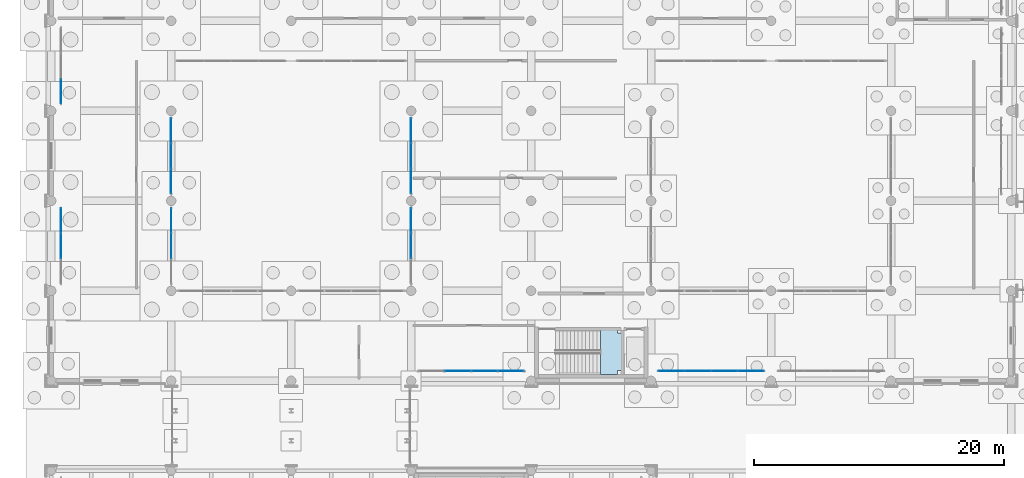
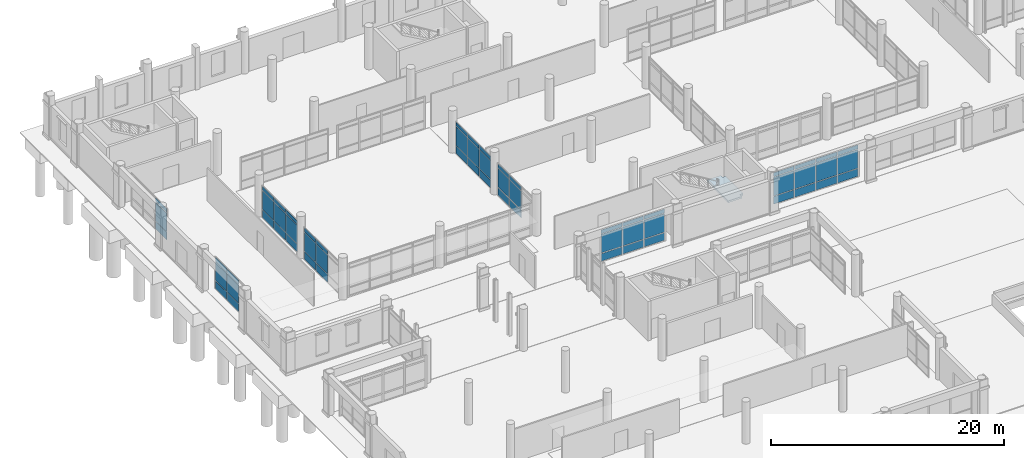
# One storey, part 149 of 196: 60 plates, 1 slab, 9 elements without a shape of their own.
"""IFC4 building model written with IfcOpenShell, lengths in metres."""

from ifc_helpers import new_model, si_unit, direction, frame, origin, origin_2d, place, context, subcontext, project, spatial, polyline, rectangle, outline, extrude, material, layer, layer_set, type_object, element, aggregate, save


model = new_model("IFC4")

# Units and contexts
model_context = context("Model", 3, precision=1e-05, world=origin(), true_north=direction((0.0, 1.0)))
body_context = subcontext(model_context, "Body", "Model", "MODEL_VIEW")
ifc_project = project(units=[si_unit("LENGTHUNIT", "METRE"), si_unit("AREAUNIT", "SQUARE_METRE"), si_unit("VOLUMEUNIT", "CUBIC_METRE"), si_unit("PLANEANGLEUNIT", "RADIAN"), si_unit("MASSUNIT", "GRAM", prefix="KILO")], contexts=[model_context])

# Site, building, storey
site_placement = place(None, origin())
site = spatial("IfcSite", under=ifc_project, at=site_placement, CompositionType="ELEMENT")
building_placement = place(site_placement, origin())
building = spatial("IfcBuilding", under=site, at=building_placement, Name="Asteropetra Specialist Clinic", CompositionType="ELEMENT")
storey_placement = place(building_placement, origin())
storey = spatial("IfcBuildingStorey", under=building, at=storey_placement, Name="L00", CompositionType="ELEMENT", Elevation=0.0)

# Curtain wall, plates
ifc_material_1 = material(Name="Aluminium and low-E glass", Category="aluminium")
ifc_layer_1 = layer(ifc_material_1, 0.135009765625)
ifc_layer_set_1 = layer_set([ifc_layer_1], Name="Aluminium and low-E glass")
curtain_wall_type_1 = type_object("IfcCurtainWallType", Name="CW-SYS-06", PredefinedType="USERDEFINED", material=ifc_layer_set_1)
curtain_wall_1_placement = place(storey_placement, origin())
curtain_wall_1 = element("IfcCurtainWall", 1, at=curtain_wall_1_placement, inside=storey, type_object=curtain_wall_type_1, Name="Curtain Wall CW-008", ObjectType="UNITISED CURTAIN WALL", PredefinedType="USERDEFINED")
ifc_material_2 = material(Name="Low-E double glazing", Category="glass")
ifc_layer_2 = layer(ifc_material_2, 0.028076171875)
ifc_layer_set_2 = layer_set([ifc_layer_2], Name="Low-E double glazing")
plate_type_1 = type_object("IfcPlateType", Name="CWP-GLZ-28", PredefinedType="CURTAIN_PANEL", material=ifc_layer_set_2)
plate_1_placement = place(storey_placement, frame((28.800048828125, 85.57177734375, 0.06005859375), z_axis=(0.0, 0.0, 1.0), x_axis=(0.0, 1.0, 0.0)))
plate_1 = element("IfcPlate", 2, at=plate_1_placement, type_object=plate_type_1, Name="CW-008 panel 1.1", PredefinedType="CURTAIN_PANEL", context=body_context, shape_type="SweptSolid", body=[
    extrude(rectangle(XDim=1.953369140625, YDim=0.028076171875, at=origin_2d()), origin(), (0.0, 0.0, 1.0), 0.81005859375),
])
plate_2_placement = place(storey_placement, frame((28.800048828125, 85.57177734375, 0.929931640625), z_axis=(0.0, 0.0, 1.0), x_axis=(0.0, 1.0, 0.0)))
plate_2 = element("IfcPlate", 3, at=plate_2_placement, type_object=plate_type_1, Name="CW-008 panel 1.2", PredefinedType="CURTAIN_PANEL", context=body_context, shape_type="SweptSolid", body=[
    extrude(rectangle(XDim=1.953369140625, YDim=0.028076171875, at=origin_2d()), origin(), (0.0, 0.0, 1.0), 1.9599609375),
])
plate_3_placement = place(storey_placement, frame((28.800048828125, 85.57177734375, 2.9501953125), z_axis=(0.0, 0.0, 1.0), x_axis=(0.0, 1.0, 0.0)))
plate_3 = element("IfcPlate", 4, at=plate_3_placement, type_object=plate_type_1, Name="CW-008 panel 1.3", PredefinedType="CURTAIN_PANEL", context=body_context, shape_type="SweptSolid", body=[
    extrude(rectangle(XDim=1.953369140625, YDim=0.028076171875, at=origin_2d()), origin(), (0.0, 0.0, 1.0), 0.409912109375),
])
plate_4_placement = place(storey_placement, frame((28.800048828125, 87.60009765625, 0.06005859375), z_axis=(0.0, 0.0, 1.0), x_axis=(0.0, 1.0, 0.0)))
plate_4 = element("IfcPlate", 5, at=plate_4_placement, type_object=plate_type_1, Name="CW-008 panel 2.1", PredefinedType="CURTAIN_PANEL", context=body_context, shape_type="SweptSolid", body=[
    extrude(rectangle(XDim=1.9833984375, YDim=0.028076171875, at=origin_2d()), origin(), (0.0, 0.0, 1.0), 0.81005859375),
])
plate_5_placement = place(storey_placement, frame((28.800048828125, 87.60009765625, 0.929931640625), z_axis=(0.0, 0.0, 1.0), x_axis=(0.0, 1.0, 0.0)))
plate_5 = element("IfcPlate", 6, at=plate_5_placement, type_object=plate_type_1, Name="CW-008 panel 2.2", PredefinedType="CURTAIN_PANEL", context=body_context, shape_type="SweptSolid", body=[
    extrude(rectangle(XDim=1.9833984375, YDim=0.028076171875, at=origin_2d()), origin(), (0.0, 0.0, 1.0), 1.9599609375),
])
plate_6_placement = place(storey_placement, frame((28.800048828125, 87.60009765625, 2.9501953125), z_axis=(0.0, 0.0, 1.0), x_axis=(0.0, 1.0, 0.0)))
plate_6 = element("IfcPlate", 7, at=plate_6_placement, type_object=plate_type_1, Name="CW-008 panel 2.3", PredefinedType="CURTAIN_PANEL", context=body_context, shape_type="SweptSolid", body=[
    extrude(rectangle(XDim=1.9833984375, YDim=0.028076171875, at=origin_2d()), origin(), (0.0, 0.0, 1.0), 0.409912109375),
])
plate_7_placement = place(storey_placement, frame((28.800048828125, 89.62841796875, 0.06005859375), z_axis=(0.0, 0.0, 1.0), x_axis=(0.0, 1.0, 0.0)))
plate_7 = element("IfcPlate", 8, at=plate_7_placement, type_object=plate_type_1, Name="CW-008 panel 3.1", PredefinedType="CURTAIN_PANEL", context=body_context, shape_type="SweptSolid", body=[
    extrude(rectangle(XDim=1.953369140625, YDim=0.028076171875, at=origin_2d()), origin(), (0.0, 0.0, 1.0), 0.81005859375),
])
plate_8_placement = place(storey_placement, frame((28.800048828125, 89.62841796875, 0.929931640625), z_axis=(0.0, 0.0, 1.0), x_axis=(0.0, 1.0, 0.0)))
plate_8 = element("IfcPlate", 9, at=plate_8_placement, type_object=plate_type_1, Name="CW-008 panel 3.2", PredefinedType="CURTAIN_PANEL", context=body_context, shape_type="SweptSolid", body=[
    extrude(rectangle(XDim=1.953369140625, YDim=0.028076171875, at=origin_2d()), origin(), (0.0, 0.0, 1.0), 1.9599609375),
])
plate_9_placement = place(storey_placement, frame((28.800048828125, 89.62841796875, 2.9501953125), z_axis=(0.0, 0.0, 1.0), x_axis=(0.0, 1.0, 0.0)))
plate_9 = element("IfcPlate", 10, at=plate_9_placement, type_object=plate_type_1, Name="CW-008 panel 3.3", PredefinedType="CURTAIN_PANEL", context=body_context, shape_type="SweptSolid", body=[
    extrude(rectangle(XDim=1.953369140625, YDim=0.028076171875, at=origin_2d()), origin(), (0.0, 0.0, 1.0), 0.409912109375),
])
aggregate(curtain_wall_1, [plate_1, plate_2, plate_3, plate_4, plate_5, plate_6, plate_7, plate_8, plate_9])

ifc_material_3 = material(Name="Aluminium and low-E glass", Category="aluminium")
ifc_layer_3 = layer(ifc_material_3, 0.135009765625)
ifc_layer_set_3 = layer_set([ifc_layer_3], Name="Aluminium and low-E glass")
curtain_wall_type_2 = type_object("IfcCurtainWallType", Name="CW-SYS-09", PredefinedType="USERDEFINED", material=ifc_layer_set_3)
curtain_wall_2_placement = place(storey_placement, origin())
curtain_wall_2 = element("IfcCurtainWall", 11, at=curtain_wall_2_placement, inside=storey, type_object=curtain_wall_type_2, Name="Curtain Wall CW-184", ObjectType="STICK GLAZED COLONNADE", PredefinedType="USERDEFINED")
plate_10_placement = place(storey_placement, frame((49.617431640625, 70.3798828125, 0.06494140625), z_axis=(0.0, 0.0, 1.0), x_axis=(1.0, 0.0, 0.0)))
plate_10 = element("IfcPlate", 12, at=plate_10_placement, type_object=plate_type_1, Name="CW-184 panel 1.1", PredefinedType="CURTAIN_PANEL", context=body_context, shape_type="SweptSolid", body=[
    extrude(rectangle(XDim=2.034912109375, YDim=0.028076171875, at=origin_2d()), origin(), (0.0, 0.0, 1.0), 0.802490234375),
])
plate_11_placement = place(storey_placement, frame((49.617431640625, 70.3798828125, 0.932373046875), z_axis=(0.0, 0.0, 1.0), x_axis=(1.0, 0.0, 0.0)))
plate_11 = element("IfcPlate", 13, at=plate_11_placement, type_object=plate_type_1, Name="CW-184 panel 1.2", PredefinedType="CURTAIN_PANEL", context=body_context, shape_type="SweptSolid", body=[
    extrude(rectangle(XDim=2.034912109375, YDim=0.028076171875, at=origin_2d()), origin(), (0.0, 0.0, 1.0), 1.955078125),
])
plate_12_placement = place(storey_placement, frame((49.617431640625, 70.3798828125, 2.95263671875), z_axis=(0.0, 0.0, 1.0), x_axis=(1.0, 0.0, 0.0)))
plate_12 = element("IfcPlate", 14, at=plate_12_placement, type_object=plate_type_1, Name="CW-184 panel 1.3", PredefinedType="CURTAIN_PANEL", context=body_context, shape_type="SweptSolid", body=[
    extrude(rectangle(XDim=2.034912109375, YDim=0.028076171875, at=origin_2d()), origin(), (0.0, 0.0, 1.0), 0.402587890625),
])
plate_13_placement = place(storey_placement, frame((51.733642578125, 70.3798828125, 0.06494140625), z_axis=(0.0, 0.0, 1.0), x_axis=(1.0, 0.0, 0.0)))
plate_13 = element("IfcPlate", 15, at=plate_13_placement, type_object=plate_type_1, Name="CW-184 panel 2.1", PredefinedType="CURTAIN_PANEL", context=body_context, shape_type="SweptSolid", body=[
    extrude(rectangle(XDim=2.0673828125, YDim=0.028076171875, at=origin_2d()), origin(), (0.0, 0.0, 1.0), 0.802490234375),
])
plate_14_placement = place(storey_placement, frame((51.733642578125, 70.3798828125, 0.932373046875), z_axis=(0.0, 0.0, 1.0), x_axis=(1.0, 0.0, 0.0)))
plate_14 = element("IfcPlate", 16, at=plate_14_placement, type_object=plate_type_1, Name="CW-184 panel 2.2", PredefinedType="CURTAIN_PANEL", context=body_context, shape_type="SweptSolid", body=[
    extrude(rectangle(XDim=2.0673828125, YDim=0.028076171875, at=origin_2d()), origin(), (0.0, 0.0, 1.0), 1.955078125),
])
plate_15_placement = place(storey_placement, frame((51.733642578125, 70.3798828125, 2.95263671875), z_axis=(0.0, 0.0, 1.0), x_axis=(1.0, 0.0, 0.0)))
plate_15 = element("IfcPlate", 17, at=plate_15_placement, type_object=plate_type_1, Name="CW-184 panel 2.3", PredefinedType="CURTAIN_PANEL", context=body_context, shape_type="SweptSolid", body=[
    extrude(rectangle(XDim=2.0673828125, YDim=0.028076171875, at=origin_2d()), origin(), (0.0, 0.0, 1.0), 0.402587890625),
])
plate_16_placement = place(storey_placement, frame((53.8662109375, 70.3798828125, 0.06494140625), z_axis=(0.0, 0.0, 1.0), x_axis=(1.0, 0.0, 0.0)))
plate_16 = element("IfcPlate", 18, at=plate_16_placement, type_object=plate_type_1, Name="CW-184 panel 3.1", PredefinedType="CURTAIN_PANEL", context=body_context, shape_type="SweptSolid", body=[
    extrude(rectangle(XDim=2.0673828125, YDim=0.028076171875, at=origin_2d()), origin(), (0.0, 0.0, 1.0), 0.802490234375),
])
plate_17_placement = place(storey_placement, frame((53.8662109375, 70.3798828125, 0.932373046875), z_axis=(0.0, 0.0, 1.0), x_axis=(1.0, 0.0, 0.0)))
plate_17 = element("IfcPlate", 19, at=plate_17_placement, type_object=plate_type_1, Name="CW-184 panel 3.2", PredefinedType="CURTAIN_PANEL", context=body_context, shape_type="SweptSolid", body=[
    extrude(rectangle(XDim=2.0673828125, YDim=0.028076171875, at=origin_2d()), origin(), (0.0, 0.0, 1.0), 1.955078125),
])
plate_18_placement = place(storey_placement, frame((53.8662109375, 70.3798828125, 2.95263671875), z_axis=(0.0, 0.0, 1.0), x_axis=(1.0, 0.0, 0.0)))
plate_18 = element("IfcPlate", 20, at=plate_18_placement, type_object=plate_type_1, Name="CW-184 panel 3.3", PredefinedType="CURTAIN_PANEL", context=body_context, shape_type="SweptSolid", body=[
    extrude(rectangle(XDim=2.0673828125, YDim=0.028076171875, at=origin_2d()), origin(), (0.0, 0.0, 1.0), 0.402587890625),
])
plate_19_placement = place(storey_placement, frame((55.982421875, 70.3798828125, 0.06494140625), z_axis=(0.0, 0.0, 1.0), x_axis=(1.0, 0.0, 0.0)))
plate_19 = element("IfcPlate", 21, at=plate_19_placement, type_object=plate_type_1, Name="CW-184 panel 4.1", PredefinedType="CURTAIN_PANEL", context=body_context, shape_type="SweptSolid", body=[
    extrude(rectangle(XDim=2.034912109375, YDim=0.028076171875, at=origin_2d()), origin(), (0.0, 0.0, 1.0), 0.802490234375),
])
plate_20_placement = place(storey_placement, frame((55.982421875, 70.3798828125, 0.932373046875), z_axis=(0.0, 0.0, 1.0), x_axis=(1.0, 0.0, 0.0)))
plate_20 = element("IfcPlate", 22, at=plate_20_placement, type_object=plate_type_1, Name="CW-184 panel 4.2", PredefinedType="CURTAIN_PANEL", context=body_context, shape_type="SweptSolid", body=[
    extrude(rectangle(XDim=2.034912109375, YDim=0.028076171875, at=origin_2d()), origin(), (0.0, 0.0, 1.0), 1.955078125),
])
plate_21_placement = place(storey_placement, frame((55.982421875, 70.3798828125, 2.95263671875), z_axis=(0.0, 0.0, 1.0), x_axis=(1.0, 0.0, 0.0)))
plate_21 = element("IfcPlate", 23, at=plate_21_placement, type_object=plate_type_1, Name="CW-184 panel 4.3", PredefinedType="CURTAIN_PANEL", context=body_context, shape_type="SweptSolid", body=[
    extrude(rectangle(XDim=2.034912109375, YDim=0.028076171875, at=origin_2d()), origin(), (0.0, 0.0, 1.0), 0.402587890625),
])
aggregate(curtain_wall_2, [plate_10, plate_11, plate_12, plate_13, plate_14, plate_15, plate_16, plate_17, plate_18, plate_19, plate_20, plate_21])

ifc_material_4 = material(Name="Aluminium and low-E glass", Category="aluminium")
ifc_layer_4 = layer(ifc_material_4, 0.179931640625)
ifc_layer_set_4 = layer_set([ifc_layer_4], Name="Aluminium and low-E glass")
curtain_wall_type_3 = type_object("IfcCurtainWallType", Name="CW-SYS-04", PredefinedType="USERDEFINED", material=ifc_layer_set_4)
curtain_wall_3_placement = place(storey_placement, origin())
curtain_wall_3 = element("IfcCurtainWall", 24, at=curtain_wall_3_placement, inside=storey, type_object=curtain_wall_type_3, Name="Curtain Wall CW-005", ObjectType="UNITISED CURTAIN WALL", PredefinedType="USERDEFINED")
ifc_material_5 = material(Name="Low-E acoustic double glazing", Category="glass")
ifc_layer_5 = layer(ifc_material_5, 0.031982421875)
ifc_layer_set_5 = layer_set([ifc_layer_5], Name="Low-E acoustic double glazing")
plate_type_2 = type_object("IfcPlateType", Name="CWP-GLZ-32", PredefinedType="CURTAIN_PANEL", material=ifc_layer_set_5)
plate_22_placement = place(storey_placement, frame((9.60009765625, 82.42822265625, 0.06005859375), z_axis=(0.0, 0.0, 1.0), x_axis=(0.0, -1.0, 0.0)))
plate_22 = element("IfcPlate", 25, at=plate_22_placement, type_object=plate_type_2, Name="CW-005 panel 1.1", PredefinedType="CURTAIN_PANEL", context=body_context, shape_type="SweptSolid", body=[
    extrude(rectangle(XDim=1.953369140625, YDim=0.031982421875, at=origin_2d()), origin(), (0.0, 0.0, 1.0), 0.81005859375),
])
plate_23_placement = place(storey_placement, frame((9.60009765625, 82.42822265625, 0.929931640625), z_axis=(0.0, 0.0, 1.0), x_axis=(0.0, -1.0, 0.0)))
plate_23 = element("IfcPlate", 26, at=plate_23_placement, type_object=plate_type_2, Name="CW-005 panel 1.2", PredefinedType="CURTAIN_PANEL", context=body_context, shape_type="SweptSolid", body=[
    extrude(rectangle(XDim=1.953369140625, YDim=0.031982421875, at=origin_2d()), origin(), (0.0, 0.0, 1.0), 1.9599609375),
])
plate_24_placement = place(storey_placement, frame((9.60009765625, 82.42822265625, 2.9501953125), z_axis=(0.0, 0.0, 1.0), x_axis=(0.0, -1.0, 0.0)))
plate_24 = element("IfcPlate", 27, at=plate_24_placement, type_object=plate_type_2, Name="CW-005 panel 1.3", PredefinedType="CURTAIN_PANEL", context=body_context, shape_type="SweptSolid", body=[
    extrude(rectangle(XDim=1.953369140625, YDim=0.031982421875, at=origin_2d()), origin(), (0.0, 0.0, 1.0), 0.409912109375),
])
plate_25_placement = place(storey_placement, frame((9.60009765625, 80.39990234375, 0.06005859375), z_axis=(0.0, 0.0, 1.0), x_axis=(0.0, -1.0, 0.0)))
plate_25 = element("IfcPlate", 28, at=plate_25_placement, type_object=plate_type_2, Name="CW-005 panel 2.1", PredefinedType="CURTAIN_PANEL", context=body_context, shape_type="SweptSolid", body=[
    extrude(rectangle(XDim=1.9833984375, YDim=0.031982421875, at=origin_2d()), origin(), (0.0, 0.0, 1.0), 0.81005859375),
])
plate_26_placement = place(storey_placement, frame((9.60009765625, 80.39990234375, 0.929931640625), z_axis=(0.0, 0.0, 1.0), x_axis=(0.0, -1.0, 0.0)))
plate_26 = element("IfcPlate", 29, at=plate_26_placement, type_object=plate_type_2, Name="CW-005 panel 2.2", PredefinedType="CURTAIN_PANEL", context=body_context, shape_type="SweptSolid", body=[
    extrude(rectangle(XDim=1.9833984375, YDim=0.031982421875, at=origin_2d()), origin(), (0.0, 0.0, 1.0), 1.9599609375),
])
plate_27_placement = place(storey_placement, frame((9.60009765625, 80.39990234375, 2.9501953125), z_axis=(0.0, 0.0, 1.0), x_axis=(0.0, -1.0, 0.0)))
plate_27 = element("IfcPlate", 30, at=plate_27_placement, type_object=plate_type_2, Name="CW-005 panel 2.3", PredefinedType="CURTAIN_PANEL", context=body_context, shape_type="SweptSolid", body=[
    extrude(rectangle(XDim=1.9833984375, YDim=0.031982421875, at=origin_2d()), origin(), (0.0, 0.0, 1.0), 0.409912109375),
])
aggregate(curtain_wall_3, [plate_22, plate_23, plate_24, plate_25, plate_26, plate_27])

ifc_material_6 = material(Name="Aluminium and low-E glass", Category="aluminium")
ifc_layer_6 = layer(ifc_material_6, 0.179931640625)
ifc_layer_set_6 = layer_set([ifc_layer_6], Name="Aluminium and low-E glass")
curtain_wall_type_4 = type_object("IfcCurtainWallType", Name="CW-SYS-01", PredefinedType="USERDEFINED", material=ifc_layer_set_6)
curtain_wall_4_placement = place(storey_placement, origin())
curtain_wall_4 = element("IfcCurtainWall", 31, at=curtain_wall_4_placement, inside=storey, type_object=curtain_wall_type_4, Name="Curtain Wall CW-189", ObjectType="UNITISED CURTAIN WALL", PredefinedType="USERDEFINED")
plate_28_placement = place(storey_placement, frame((0.780029296875, 92.775390625, 0.074951171875), z_axis=(0.0, 0.0, 1.0), x_axis=(0.0, -1.0, 0.0)))
plate_28 = element("IfcPlate", 32, at=plate_28_placement, type_object=plate_type_2, Name="CW-189 panel 3.1", PredefinedType="CURTAIN_PANEL", context=body_context, shape_type="SweptSolid", body=[
    extrude(rectangle(XDim=1.930908203125, YDim=0.031982421875, at=origin_2d()), origin(), (0.0, 0.0, 1.0), 0.78759765625),
])
plate_29_placement = place(storey_placement, frame((0.780029296875, 92.775390625, 0.9375), z_axis=(0.0, 0.0, 1.0), x_axis=(0.0, -1.0, 0.0)))
plate_29 = element("IfcPlate", 33, at=plate_29_placement, type_object=plate_type_2, Name="CW-189 panel 3.2", PredefinedType="CURTAIN_PANEL", context=body_context, shape_type="SweptSolid", body=[
    extrude(rectangle(XDim=1.930908203125, YDim=0.031982421875, at=origin_2d()), origin(), (0.0, 0.0, 1.0), 1.945068359375),
])
plate_30_placement = place(storey_placement, frame((0.780029296875, 92.775390625, 2.95751953125), z_axis=(0.0, 0.0, 1.0), x_axis=(0.0, -1.0, 0.0)))
plate_30 = element("IfcPlate", 34, at=plate_30_placement, type_object=plate_type_2, Name="CW-189 panel 3.3", PredefinedType="CURTAIN_PANEL", context=body_context, shape_type="SweptSolid", body=[
    extrude(rectangle(XDim=1.930908203125, YDim=0.031982421875, at=origin_2d()), origin(), (0.0, 0.0, 1.0), 0.387451171875),
])
aggregate(curtain_wall_4, [plate_28, plate_29, plate_30])

ifc_material_7 = material(Name="Aluminium and low-E glass", Category="aluminium")
ifc_layer_7 = layer(ifc_material_7, 0.14990234375)
ifc_layer_set_7 = layer_set([ifc_layer_7], Name="Aluminium and low-E glass")
curtain_wall_type_5 = type_object("IfcCurtainWallType", Name="CW-SYS-05", PredefinedType="USERDEFINED", material=ifc_layer_set_7)
curtain_wall_5_placement = place(storey_placement, origin())
curtain_wall_5 = element("IfcCurtainWall", 35, at=curtain_wall_5_placement, inside=storey, type_object=curtain_wall_type_5, Name="Curtain Wall CW-006", ObjectType="UNITISED CURTAIN WALL", PredefinedType="USERDEFINED")
ifc_material_8 = material(Name="Solar-control triple glazing", Category="glass")
ifc_layer_8 = layer(ifc_material_8, 0.035888671875)
ifc_layer_set_8 = layer_set([ifc_layer_8], Name="Solar-control triple glazing")
plate_type_3 = type_object("IfcPlateType", Name="CWP-GLZ-36", PredefinedType="CURTAIN_PANEL", material=ifc_layer_set_8)
plate_31_placement = place(storey_placement, frame((28.800048828125, 80.39990234375, 0.074951171875), z_axis=(0.0, 0.0, 1.0), x_axis=(0.0, 1.0, 0.0)))
plate_31 = element("IfcPlate", 36, at=plate_31_placement, type_object=plate_type_3, Name="CW-006 panel 2.1", PredefinedType="CURTAIN_PANEL", context=body_context, shape_type="SweptSolid", body=[
    extrude(rectangle(XDim=1.96826171875, YDim=0.035888671875, at=origin_2d()), origin(), (0.0, 0.0, 1.0), 0.78759765625),
])
plate_32_placement = place(storey_placement, frame((28.800048828125, 80.39990234375, 0.9375), z_axis=(0.0, 0.0, 1.0), x_axis=(0.0, 1.0, 0.0)))
plate_32 = element("IfcPlate", 37, at=plate_32_placement, type_object=plate_type_3, Name="CW-006 panel 2.2", PredefinedType="CURTAIN_PANEL", context=body_context, shape_type="SweptSolid", body=[
    extrude(rectangle(XDim=1.96826171875, YDim=0.035888671875, at=origin_2d()), origin(), (0.0, 0.0, 1.0), 1.945068359375),
])
plate_33_placement = place(storey_placement, frame((28.800048828125, 80.39990234375, 2.95751953125), z_axis=(0.0, 0.0, 1.0), x_axis=(0.0, 1.0, 0.0)))
plate_33 = element("IfcPlate", 38, at=plate_33_placement, type_object=plate_type_3, Name="CW-006 panel 2.3", PredefinedType="CURTAIN_PANEL", context=body_context, shape_type="SweptSolid", body=[
    extrude(rectangle(XDim=1.96826171875, YDim=0.035888671875, at=origin_2d()), origin(), (0.0, 0.0, 1.0), 0.387451171875),
])
plate_34_placement = place(storey_placement, frame((28.800048828125, 82.424560546875, 0.074951171875), z_axis=(0.0, 0.0, 1.0), x_axis=(0.0, 1.0, 0.0)))
plate_34 = element("IfcPlate", 39, at=plate_34_placement, type_object=plate_type_3, Name="CW-006 panel 3.1", PredefinedType="CURTAIN_PANEL", context=body_context, shape_type="SweptSolid", body=[
    extrude(rectangle(XDim=1.930908203125, YDim=0.035888671875, at=origin_2d()), origin(), (0.0, 0.0, 1.0), 0.78759765625),
])
plate_35_placement = place(storey_placement, frame((28.800048828125, 82.424560546875, 0.9375), z_axis=(0.0, 0.0, 1.0), x_axis=(0.0, 1.0, 0.0)))
plate_35 = element("IfcPlate", 40, at=plate_35_placement, type_object=plate_type_3, Name="CW-006 panel 3.2", PredefinedType="CURTAIN_PANEL", context=body_context, shape_type="SweptSolid", body=[
    extrude(rectangle(XDim=1.930908203125, YDim=0.035888671875, at=origin_2d()), origin(), (0.0, 0.0, 1.0), 1.945068359375),
])
plate_36_placement = place(storey_placement, frame((28.800048828125, 82.424560546875, 2.95751953125), z_axis=(0.0, 0.0, 1.0), x_axis=(0.0, 1.0, 0.0)))
plate_36 = element("IfcPlate", 41, at=plate_36_placement, type_object=plate_type_3, Name="CW-006 panel 3.3", PredefinedType="CURTAIN_PANEL", context=body_context, shape_type="SweptSolid", body=[
    extrude(rectangle(XDim=1.930908203125, YDim=0.035888671875, at=origin_2d()), origin(), (0.0, 0.0, 1.0), 0.387451171875),
])
aggregate(curtain_wall_5, [plate_31, plate_32, plate_33, plate_34, plate_35, plate_36])

curtain_wall_6_placement = place(storey_placement, origin())
curtain_wall_6 = element("IfcCurtainWall", 42, at=curtain_wall_6_placement, inside=storey, type_object=curtain_wall_type_5, Name="Curtain Wall CW-007", ObjectType="UNITISED CURTAIN WALL", PredefinedType="USERDEFINED")
ifc_material_9 = material(Name="Laminated skylight glazing", Category="glass")
ifc_layer_9 = layer(ifc_material_9, 0.0400390625)
ifc_layer_set_9 = layer_set([ifc_layer_9], Name="Laminated skylight glazing")
plate_type_4 = type_object("IfcPlateType", Name="CWP-GLZ-40", PredefinedType="CURTAIN_PANEL", material=ifc_layer_set_9)
plate_37_placement = place(storey_placement, frame((9.60009765625, 89.627197265625, 0.06494140625), z_axis=(0.0, 0.0, 1.0), x_axis=(0.0, -1.0, 0.0)))
plate_37 = element("IfcPlate", 43, at=plate_37_placement, type_object=plate_type_4, Name="CW-007 panel 1.1", PredefinedType="CURTAIN_PANEL", context=body_context, shape_type="SweptSolid", body=[
    extrude(rectangle(XDim=1.94580078125, YDim=0.0400390625, at=origin_2d()), origin(), (0.0, 0.0, 1.0), 0.802490234375),
])
plate_38_placement = place(storey_placement, frame((9.60009765625, 89.627197265625, 0.932373046875), z_axis=(0.0, 0.0, 1.0), x_axis=(0.0, -1.0, 0.0)))
plate_38 = element("IfcPlate", 44, at=plate_38_placement, type_object=plate_type_4, Name="CW-007 panel 1.2", PredefinedType="CURTAIN_PANEL", context=body_context, shape_type="SweptSolid", body=[
    extrude(rectangle(XDim=1.94580078125, YDim=0.0400390625, at=origin_2d()), origin(), (0.0, 0.0, 1.0), 1.955078125),
])
plate_39_placement = place(storey_placement, frame((9.60009765625, 89.627197265625, 2.95263671875), z_axis=(0.0, 0.0, 1.0), x_axis=(0.0, -1.0, 0.0)))
plate_39 = element("IfcPlate", 45, at=plate_39_placement, type_object=plate_type_4, Name="CW-007 panel 1.3", PredefinedType="CURTAIN_PANEL", context=body_context, shape_type="SweptSolid", body=[
    extrude(rectangle(XDim=1.94580078125, YDim=0.0400390625, at=origin_2d()), origin(), (0.0, 0.0, 1.0), 0.402587890625),
])
plate_40_placement = place(storey_placement, frame((9.60009765625, 87.60009765625, 0.06494140625), z_axis=(0.0, 0.0, 1.0), x_axis=(0.0, -1.0, 0.0)))
plate_40 = element("IfcPlate", 46, at=plate_40_placement, type_object=plate_type_4, Name="CW-007 panel 2.1", PredefinedType="CURTAIN_PANEL", context=body_context, shape_type="SweptSolid", body=[
    extrude(rectangle(XDim=1.978271484375, YDim=0.0400390625, at=origin_2d()), origin(), (0.0, 0.0, 1.0), 0.802490234375),
])
plate_41_placement = place(storey_placement, frame((9.60009765625, 87.60009765625, 0.932373046875), z_axis=(0.0, 0.0, 1.0), x_axis=(0.0, -1.0, 0.0)))
plate_41 = element("IfcPlate", 47, at=plate_41_placement, type_object=plate_type_4, Name="CW-007 panel 2.2", PredefinedType="CURTAIN_PANEL", context=body_context, shape_type="SweptSolid", body=[
    extrude(rectangle(XDim=1.978271484375, YDim=0.0400390625, at=origin_2d()), origin(), (0.0, 0.0, 1.0), 1.955078125),
])
plate_42_placement = place(storey_placement, frame((9.60009765625, 87.60009765625, 2.95263671875), z_axis=(0.0, 0.0, 1.0), x_axis=(0.0, -1.0, 0.0)))
plate_42 = element("IfcPlate", 48, at=plate_42_placement, type_object=plate_type_4, Name="CW-007 panel 2.3", PredefinedType="CURTAIN_PANEL", context=body_context, shape_type="SweptSolid", body=[
    extrude(rectangle(XDim=1.978271484375, YDim=0.0400390625, at=origin_2d()), origin(), (0.0, 0.0, 1.0), 0.402587890625),
])
plate_43_placement = place(storey_placement, frame((9.60009765625, 85.572998046875, 0.06494140625), z_axis=(0.0, 0.0, 1.0), x_axis=(0.0, -1.0, 0.0)))
plate_43 = element("IfcPlate", 49, at=plate_43_placement, type_object=plate_type_4, Name="CW-007 panel 3.1", PredefinedType="CURTAIN_PANEL", context=body_context, shape_type="SweptSolid", body=[
    extrude(rectangle(XDim=1.94580078125, YDim=0.0400390625, at=origin_2d()), origin(), (0.0, 0.0, 1.0), 0.802490234375),
])
plate_44_placement = place(storey_placement, frame((9.60009765625, 85.572998046875, 0.932373046875), z_axis=(0.0, 0.0, 1.0), x_axis=(0.0, -1.0, 0.0)))
plate_44 = element("IfcPlate", 50, at=plate_44_placement, type_object=plate_type_4, Name="CW-007 panel 3.2", PredefinedType="CURTAIN_PANEL", context=body_context, shape_type="SweptSolid", body=[
    extrude(rectangle(XDim=1.94580078125, YDim=0.0400390625, at=origin_2d()), origin(), (0.0, 0.0, 1.0), 1.955078125),
])
plate_45_placement = place(storey_placement, frame((9.60009765625, 85.572998046875, 2.95263671875), z_axis=(0.0, 0.0, 1.0), x_axis=(0.0, -1.0, 0.0)))
plate_45 = element("IfcPlate", 51, at=plate_45_placement, type_object=plate_type_4, Name="CW-007 panel 3.3", PredefinedType="CURTAIN_PANEL", context=body_context, shape_type="SweptSolid", body=[
    extrude(rectangle(XDim=1.94580078125, YDim=0.0400390625, at=origin_2d()), origin(), (0.0, 0.0, 1.0), 0.402587890625),
])
aggregate(curtain_wall_6, [plate_37, plate_38, plate_39, plate_40, plate_41, plate_42, plate_43, plate_44, plate_45])

curtain_wall_7_placement = place(storey_placement, origin())
curtain_wall_7 = element("IfcCurtainWall", 52, at=curtain_wall_7_placement, inside=storey, type_object=curtain_wall_type_2, Name="Curtain Wall CW-183", ObjectType="STICK GLAZED COLONNADE", PredefinedType="USERDEFINED")
plate_46_placement = place(storey_placement, frame((32.53369140625, 70.3798828125, 0.074951171875), z_axis=(0.0, 0.0, 1.0), x_axis=(1.0, 0.0, 0.0)))
plate_46 = element("IfcPlate", 53, at=plate_46_placement, type_object=plate_type_4, Name="CW-183 panel 2.1", PredefinedType="CURTAIN_PANEL", context=body_context, shape_type="SweptSolid", body=[
    extrude(rectangle(XDim=2.0576171875, YDim=0.0400390625, at=origin_2d()), origin(), (0.0, 0.0, 1.0), 0.78759765625),
])
plate_47_placement = place(storey_placement, frame((32.53369140625, 70.3798828125, 0.9375), z_axis=(0.0, 0.0, 1.0), x_axis=(1.0, 0.0, 0.0)))
plate_47 = element("IfcPlate", 54, at=plate_47_placement, type_object=plate_type_4, Name="CW-183 panel 2.2", PredefinedType="CURTAIN_PANEL", context=body_context, shape_type="SweptSolid", body=[
    extrude(rectangle(XDim=2.0576171875, YDim=0.0400390625, at=origin_2d()), origin(), (0.0, 0.0, 1.0), 1.945068359375),
])
plate_48_placement = place(storey_placement, frame((32.53369140625, 70.3798828125, 2.95751953125), z_axis=(0.0, 0.0, 1.0), x_axis=(1.0, 0.0, 0.0)))
plate_48 = element("IfcPlate", 55, at=plate_48_placement, type_object=plate_type_4, Name="CW-183 panel 2.3", PredefinedType="CURTAIN_PANEL", context=body_context, shape_type="SweptSolid", body=[
    extrude(rectangle(XDim=2.0576171875, YDim=0.0400390625, at=origin_2d()), origin(), (0.0, 0.0, 1.0), 0.387451171875),
])
plate_49_placement = place(storey_placement, frame((34.666259765625, 70.3798828125, 0.074951171875), z_axis=(0.0, 0.0, 1.0), x_axis=(1.0, 0.0, 0.0)))
plate_49 = element("IfcPlate", 56, at=plate_49_placement, type_object=plate_type_4, Name="CW-183 panel 3.1", PredefinedType="CURTAIN_PANEL", context=body_context, shape_type="SweptSolid", body=[
    extrude(rectangle(XDim=2.0576171875, YDim=0.0400390625, at=origin_2d()), origin(), (0.0, 0.0, 1.0), 0.78759765625),
])
plate_50_placement = place(storey_placement, frame((34.666259765625, 70.3798828125, 0.9375), z_axis=(0.0, 0.0, 1.0), x_axis=(1.0, 0.0, 0.0)))
plate_50 = element("IfcPlate", 57, at=plate_50_placement, type_object=plate_type_4, Name="CW-183 panel 3.2", PredefinedType="CURTAIN_PANEL", context=body_context, shape_type="SweptSolid", body=[
    extrude(rectangle(XDim=2.0576171875, YDim=0.0400390625, at=origin_2d()), origin(), (0.0, 0.0, 1.0), 1.945068359375),
])
plate_51_placement = place(storey_placement, frame((34.666259765625, 70.3798828125, 2.95751953125), z_axis=(0.0, 0.0, 1.0), x_axis=(1.0, 0.0, 0.0)))
plate_51 = element("IfcPlate", 58, at=plate_51_placement, type_object=plate_type_4, Name="CW-183 panel 3.3", PredefinedType="CURTAIN_PANEL", context=body_context, shape_type="SweptSolid", body=[
    extrude(rectangle(XDim=2.0576171875, YDim=0.0400390625, at=origin_2d()), origin(), (0.0, 0.0, 1.0), 0.387451171875),
])
plate_52_placement = place(storey_placement, frame((36.780029296875, 70.3798828125, 0.074951171875), z_axis=(0.0, 0.0, 1.0), x_axis=(1.0, 0.0, 0.0)))
plate_52 = element("IfcPlate", 59, at=plate_52_placement, type_object=plate_type_4, Name="CW-183 panel 4.1", PredefinedType="CURTAIN_PANEL", context=body_context, shape_type="SweptSolid", body=[
    extrude(rectangle(XDim=2.02001953125, YDim=0.0400390625, at=origin_2d()), origin(), (0.0, 0.0, 1.0), 0.78759765625),
])
plate_53_placement = place(storey_placement, frame((36.780029296875, 70.3798828125, 0.9375), z_axis=(0.0, 0.0, 1.0), x_axis=(1.0, 0.0, 0.0)))
plate_53 = element("IfcPlate", 60, at=plate_53_placement, type_object=plate_type_4, Name="CW-183 panel 4.2", PredefinedType="CURTAIN_PANEL", context=body_context, shape_type="SweptSolid", body=[
    extrude(rectangle(XDim=2.02001953125, YDim=0.0400390625, at=origin_2d()), origin(), (0.0, 0.0, 1.0), 1.945068359375),
])
plate_54_placement = place(storey_placement, frame((36.780029296875, 70.3798828125, 2.95751953125), z_axis=(0.0, 0.0, 1.0), x_axis=(1.0, 0.0, 0.0)))
plate_54 = element("IfcPlate", 61, at=plate_54_placement, type_object=plate_type_4, Name="CW-183 panel 4.3", PredefinedType="CURTAIN_PANEL", context=body_context, shape_type="SweptSolid", body=[
    extrude(rectangle(XDim=2.02001953125, YDim=0.0400390625, at=origin_2d()), origin(), (0.0, 0.0, 1.0), 0.387451171875),
])
aggregate(curtain_wall_7, [plate_46, plate_47, plate_48, plate_49, plate_50, plate_51, plate_52, plate_53, plate_54])

ifc_material_10 = material(Name="Aluminium and low-E glass", Category="aluminium")
ifc_layer_10 = layer(ifc_material_10, 0.179931640625)
ifc_layer_set_10 = layer_set([ifc_layer_10], Name="Aluminium and low-E glass")
curtain_wall_type_6 = type_object("IfcCurtainWallType", Name="CW-SYS-10", PredefinedType="USERDEFINED", material=ifc_layer_set_10)
curtain_wall_8_placement = place(storey_placement, origin())
curtain_wall_8 = element("IfcCurtainWall", 62, at=curtain_wall_8_placement, inside=storey, type_object=curtain_wall_type_6, Name="Curtain Wall CW-187", ObjectType="STICK GLAZED COLONNADE", PredefinedType="USERDEFINED")
plate_55_placement = place(storey_placement, frame((0.780029296875, 82.427001953125, 0.06494140625), z_axis=(0.0, 0.0, 1.0), x_axis=(0.0, -1.0, 0.0)))
plate_55 = element("IfcPlate", 63, at=plate_55_placement, type_object=plate_type_4, Name="CW-187 panel 1.1", PredefinedType="CURTAIN_PANEL", context=body_context, shape_type="SweptSolid", body=[
    extrude(rectangle(XDim=1.94580078125, YDim=0.0400390625, at=origin_2d()), origin(), (0.0, 0.0, 1.0), 0.802490234375),
])
plate_56_placement = place(storey_placement, frame((0.780029296875, 82.427001953125, 0.932373046875), z_axis=(0.0, 0.0, 1.0), x_axis=(0.0, -1.0, 0.0)))
plate_56 = element("IfcPlate", 64, at=plate_56_placement, type_object=plate_type_4, Name="CW-187 panel 1.2", PredefinedType="CURTAIN_PANEL", context=body_context, shape_type="SweptSolid", body=[
    extrude(rectangle(XDim=1.94580078125, YDim=0.0400390625, at=origin_2d()), origin(), (0.0, 0.0, 1.0), 1.955078125),
])
plate_57_placement = place(storey_placement, frame((0.780029296875, 82.427001953125, 2.95263671875), z_axis=(0.0, 0.0, 1.0), x_axis=(0.0, -1.0, 0.0)))
plate_57 = element("IfcPlate", 65, at=plate_57_placement, type_object=plate_type_4, Name="CW-187 panel 1.3", PredefinedType="CURTAIN_PANEL", context=body_context, shape_type="SweptSolid", body=[
    extrude(rectangle(XDim=1.94580078125, YDim=0.0400390625, at=origin_2d()), origin(), (0.0, 0.0, 1.0), 0.402587890625),
])
plate_58_placement = place(storey_placement, frame((0.780029296875, 80.39990234375, 0.06494140625), z_axis=(0.0, 0.0, 1.0), x_axis=(0.0, -1.0, 0.0)))
plate_58 = element("IfcPlate", 66, at=plate_58_placement, type_object=plate_type_4, Name="CW-187 panel 2.1", PredefinedType="CURTAIN_PANEL", context=body_context, shape_type="SweptSolid", body=[
    extrude(rectangle(XDim=1.978271484375, YDim=0.0400390625, at=origin_2d()), origin(), (0.0, 0.0, 1.0), 0.802490234375),
])
plate_59_placement = place(storey_placement, frame((0.780029296875, 80.39990234375, 0.932373046875), z_axis=(0.0, 0.0, 1.0), x_axis=(0.0, -1.0, 0.0)))
plate_59 = element("IfcPlate", 67, at=plate_59_placement, type_object=plate_type_4, Name="CW-187 panel 2.2", PredefinedType="CURTAIN_PANEL", context=body_context, shape_type="SweptSolid", body=[
    extrude(rectangle(XDim=1.978271484375, YDim=0.0400390625, at=origin_2d()), origin(), (0.0, 0.0, 1.0), 1.955078125),
])
plate_60_placement = place(storey_placement, frame((0.780029296875, 80.39990234375, 2.95263671875), z_axis=(0.0, 0.0, 1.0), x_axis=(0.0, -1.0, 0.0)))
plate_60 = element("IfcPlate", 68, at=plate_60_placement, type_object=plate_type_4, Name="CW-187 panel 2.3", PredefinedType="CURTAIN_PANEL", context=body_context, shape_type="SweptSolid", body=[
    extrude(rectangle(XDim=1.978271484375, YDim=0.0400390625, at=origin_2d()), origin(), (0.0, 0.0, 1.0), 0.402587890625),
])
aggregate(curtain_wall_8, [plate_55, plate_56, plate_57, plate_58, plate_59, plate_60])

# Stair, slab
ifc_material_11 = material(Name="Concrete C35/45", Category="concrete")
stair_type = type_object("IfcStairType", Name="STR-DOG-160", PredefinedType="TWO_STRAIGHT_RUN_STAIR", material=ifc_material_11)
stair_placement = place(storey_placement, origin())
stair = element("IfcStair", 69, at=stair_placement, inside=storey, type_object=stair_type, Name="Type I Stair ST03-L00", PredefinedType="TWO_STRAIGHT_RUN_STAIR")
ifc_material_12 = material(Name="Concrete C35/45", Category="concrete")
ifc_layer_11 = layer(ifc_material_12, 0.199951171875)
ifc_layer_set_11 = layer_set([ifc_layer_11], Name="Concrete C35/45")
slab_type = type_object("IfcSlabType", Name="SLB-LND-200", PredefinedType="LANDING", material=ifc_layer_set_11)
slab_placement = place(storey_placement, frame((0.0, 0.0, 2.010009765625)))
slab = element("IfcSlab", 70, at=slab_placement, type_object=slab_type, Name="ST03-L00 landing 1", PredefinedType="LANDING", context=body_context, shape_type="SweptSolid", body=[
    extrude(outline(polyline([(43.949951171875, 70.090087890625), (45.300048828125, 70.090087890625), (45.300048828125, 70.409912109375), (45.6201171875, 70.409912109375), (45.6201171875, 73.409912109375), (45.300048828125, 73.409912109375), (45.300048828125, 73.72998046875), (43.949951171875, 73.72998046875), (43.949951171875, 70.090087890625)])), origin(), (0.0, 0.0, 1.0), 0.199951171875),
])
aggregate(stair, [slab])

save(model, "model.ifc")
